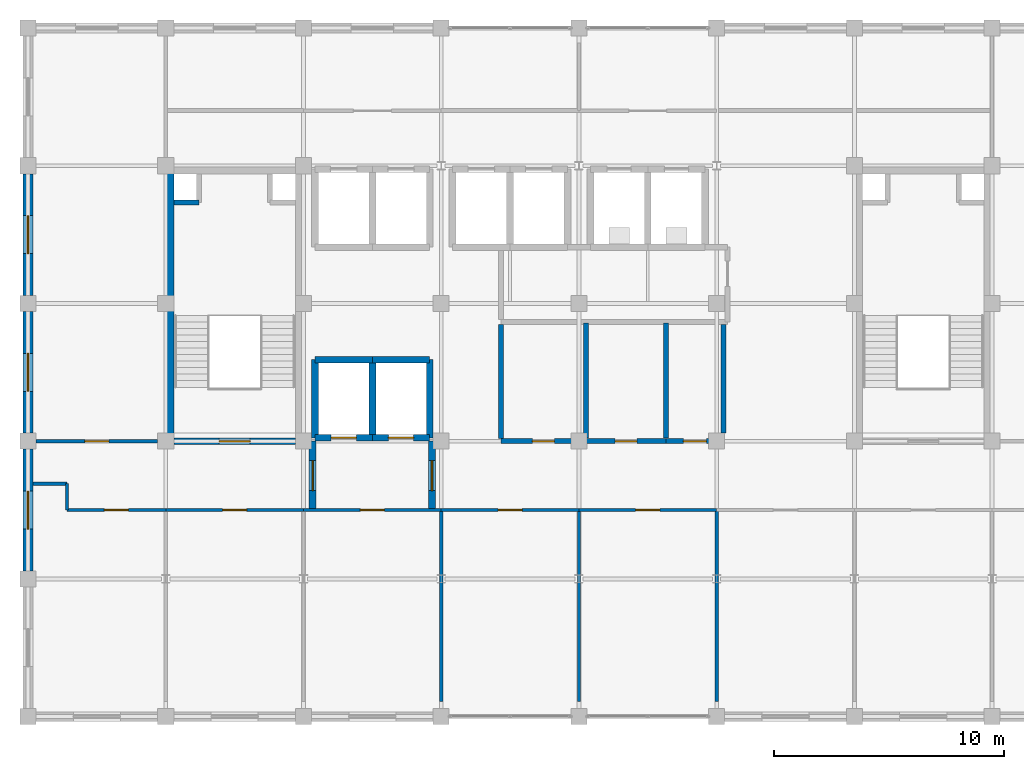
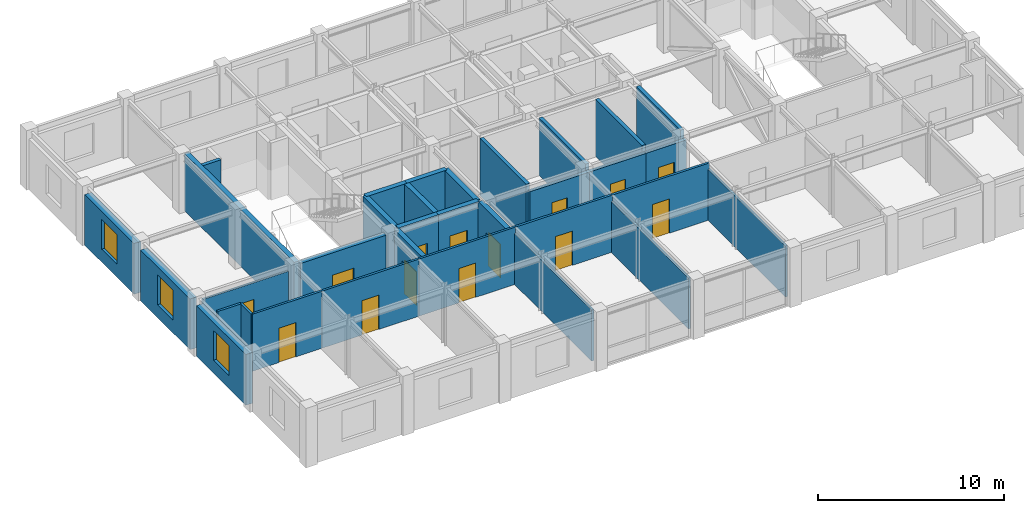
# One storey, part 8 of 12: 33 walls, 14 doors, 3 windows, 17 openings.
"""IFC4 building model written with IfcOpenShell, lengths in metres."""

from ifc_helpers import new_model, si_unit, direction, frame, frame_2d, origin, place, context, subcontext, project, spatial, rectangle, extrude, material, layer, layer_set, type_object, element, fill, save


model = new_model("IFC4")

# Units and contexts
model_context = context("Model", 3, precision=1e-05, world=origin(), true_north=direction((0.0, 1.0)))
body_context = subcontext(model_context, "Body", "Model", "MODEL_VIEW")
ifc_project = project(units=[si_unit("LENGTHUNIT", "METRE"), si_unit("AREAUNIT", "SQUARE_METRE"), si_unit("VOLUMEUNIT", "CUBIC_METRE"), si_unit("PLANEANGLEUNIT", "RADIAN"), si_unit("MASSUNIT", "GRAM", prefix="KILO")], contexts=[model_context])

# Site, building, storey
site_placement = place(None, origin())
site = spatial("IfcSite", under=ifc_project, at=site_placement, CompositionType="ELEMENT")
building_placement = place(site_placement, origin())
building = spatial("IfcBuilding", under=site, at=building_placement, Name="Zlatovratsky Civic Hall", CompositionType="ELEMENT")
storey_placement = place(building_placement, frame((0.0, 0.0, 40.5)))
storey = spatial("IfcBuildingStorey", under=building, at=storey_placement, Name="L10", CompositionType="ELEMENT", Elevation=40.5)

# Wall, opening, door
ifc_material_1 = material(Name="Fire-rated gypsum board framing", Category="gypsum")
ifc_layer_1 = layer(ifc_material_1, 0.139892578125)
ifc_layer_set_1 = layer_set([ifc_layer_1], Name="Fire-rated gypsum board framing")
wall_type_1 = type_object("IfcWallType", Name="Wall_OfficePartition_140", PredefinedType="PARTITIONING", material=ifc_layer_set_1)
wall_1_placement = place(storey_placement, frame((61.699951171875, 81.0, 0.0), z_axis=(0.0, 0.0, 1.0), x_axis=(1.0, 0.0, 0.0)))
wall_1 = element("IfcWall", 1, at=wall_1_placement, inside=storey, type_object=wall_type_1, Name="WL-6489", PredefinedType="PARTITIONING", context=body_context, shape_type="SweptSolid", body=[
    extrude(rectangle(XDim=4.300048828125, YDim=0.139892578125, at=frame_2d((2.14990234375, 0.0))), origin(), (0.0, 0.0, 1.0), 3.739990234375),
])
opening_1_placement = place(wall_1_placement, frame((1.625, 0.0, 0.0)))
opening_1 = element("IfcOpeningElement", 2, at=opening_1_placement, cuts=wall_1, Name="Opening D-24", PredefinedType="OPENING", context=body_context, shape_type="SweptSolid", body=[
    extrude(rectangle(XDim=1.050048828125, YDim=2.25, at=frame_2d((0.52490234375, 1.125))), frame((0.0, 0.0849609375, 0.0), z_axis=(0.0, -1.0, 0.0), x_axis=(1.0, 0.0, 0.0)), (0.0, 0.0, 1.0), 0.169677734375),
])
ifc_material_2 = material(Name="Solid oak joinery in steel frame", Category="steel")
door_type_1 = type_object("IfcDoorType", Name="Door_DirectorateOffice_1050x2250", OperationType="NOTDEFINED", PredefinedType="DOOR", material=ifc_material_2)
door_1_placement = place(opening_1_placement, origin())
door_1 = element("IfcDoor", 3, at=door_1_placement, inside=storey, type_object=door_type_1, Name="DR-5438", OperationType="SINGLE_SWING_LEFT", OverallHeight=2.25, OverallWidth=1.050048828125, PredefinedType="DOOR", context=body_context, shape_type="SweptSolid", body=[
    extrude(rectangle(XDim=1.050048828125, YDim=2.25, at=frame_2d((0.52490234375, 1.125))), frame((0.0, 0.02490234375, 0.0), z_axis=(0.0, -1.0, 0.0), x_axis=(1.0, 0.0, 0.0)), (0.0, 0.0, 1.0), 0.050048828125),
])
fill(opening_1, door_1)

wall_2_placement = place(storey_placement, frame((66.0, 81.0, 0.0), z_axis=(0.0, 0.0, 1.0), x_axis=(1.0, 0.0, 0.0)))
wall_2 = element("IfcWall", 4, at=wall_2_placement, inside=storey, type_object=wall_type_1, Name="WL-6490", PredefinedType="PARTITIONING", context=body_context, shape_type="SweptSolid", body=[
    extrude(rectangle(XDim=6.0, YDim=0.139892578125, at=frame_2d((3.0, 0.0))), origin(), (0.0, 0.0, 1.0), 3.739990234375),
])
opening_2_placement = place(wall_2_placement, frame((2.47509765625, 0.0, 0.0)))
opening_2 = element("IfcOpeningElement", 5, at=opening_2_placement, cuts=wall_2, Name="Opening D-24", PredefinedType="OPENING", context=body_context, shape_type="SweptSolid", body=[
    extrude(rectangle(XDim=1.050048828125, YDim=2.25, at=frame_2d((0.52490234375, 1.125))), frame((0.0, 0.0849609375, 0.0), z_axis=(0.0, -1.0, 0.0), x_axis=(1.0, 0.0, 0.0)), (0.0, 0.0, 1.0), 0.169677734375),
])
door_2_placement = place(opening_2_placement, origin())
door_2 = element("IfcDoor", 6, at=door_2_placement, inside=storey, type_object=door_type_1, Name="DR-5439", OperationType="SINGLE_SWING_RIGHT", OverallHeight=2.25, OverallWidth=1.050048828125, PredefinedType="DOOR", context=body_context, shape_type="SweptSolid", body=[
    extrude(rectangle(XDim=1.050048828125, YDim=2.25, at=frame_2d((0.52490234375, 1.125))), frame((0.0, 0.02490234375, 0.0), z_axis=(0.0, -1.0, 0.0), x_axis=(1.0, 0.0, 0.0)), (0.0, 0.0, 1.0), 0.050048828125),
])
fill(opening_2, door_2)

wall_3_placement = place(storey_placement, frame((72.0, 81.0, 0.0), z_axis=(0.0, 0.0, 1.0), x_axis=(1.0, 0.0, 0.0)))
wall_3 = element("IfcWall", 7, at=wall_3_placement, inside=storey, type_object=wall_type_1, Name="WL-6491", PredefinedType="PARTITIONING", context=body_context, shape_type="SweptSolid", body=[
    extrude(rectangle(XDim=6.0, YDim=0.139892578125, at=frame_2d((3.0, 0.0))), origin(), (0.0, 0.0, 1.0), 3.739990234375),
])
opening_3_placement = place(wall_3_placement, frame((2.47509765625, 0.0, 0.0)))
opening_3 = element("IfcOpeningElement", 8, at=opening_3_placement, cuts=wall_3, Name="Opening D-24", PredefinedType="OPENING", context=body_context, shape_type="SweptSolid", body=[
    extrude(rectangle(XDim=1.050048828125, YDim=2.25, at=frame_2d((0.52490234375, 1.125))), frame((0.0, 0.0849609375, 0.0), z_axis=(0.0, -1.0, 0.0), x_axis=(1.0, 0.0, 0.0)), (0.0, 0.0, 1.0), 0.169677734375),
])
door_3_placement = place(opening_3_placement, origin())
door_3 = element("IfcDoor", 9, at=door_3_placement, inside=storey, type_object=door_type_1, Name="DR-5440", OperationType="SINGLE_SWING_RIGHT", OverallHeight=2.25, OverallWidth=1.050048828125, PredefinedType="DOOR", context=body_context, shape_type="SweptSolid", body=[
    extrude(rectangle(XDim=1.050048828125, YDim=2.25, at=frame_2d((0.52490234375, 1.125))), frame((0.0, 0.02490234375, 0.0), z_axis=(0.0, -1.0, 0.0), x_axis=(1.0, 0.0, 0.0)), (0.0, 0.0, 1.0), 0.050048828125),
])
fill(opening_3, door_3)

wall_4_placement = place(storey_placement, frame((78.0, 81.0, 0.0), z_axis=(0.0, 0.0, 1.0), x_axis=(1.0, 0.0, 0.0)))
wall_4 = element("IfcWall", 10, at=wall_4_placement, inside=storey, type_object=wall_type_1, Name="WL-6492", PredefinedType="PARTITIONING", context=body_context, shape_type="SweptSolid", body=[
    extrude(rectangle(XDim=6.0, YDim=0.139892578125, at=frame_2d((3.0, 0.0))), origin(), (0.0, 0.0, 1.0), 3.739990234375),
])
opening_4_placement = place(wall_4_placement, frame((2.47509765625, 0.0, 0.0)))
opening_4 = element("IfcOpeningElement", 11, at=opening_4_placement, cuts=wall_4, Name="Opening D-24", PredefinedType="OPENING", context=body_context, shape_type="SweptSolid", body=[
    extrude(rectangle(XDim=1.050048828125, YDim=2.25, at=frame_2d((0.52490234375, 1.125))), frame((0.0, 0.0849609375, 0.0), z_axis=(0.0, -1.0, 0.0), x_axis=(1.0, 0.0, 0.0)), (0.0, 0.0, 1.0), 0.169677734375),
])
door_4_placement = place(opening_4_placement, origin())
door_4 = element("IfcDoor", 12, at=door_4_placement, inside=storey, type_object=door_type_1, Name="DR-5441", OperationType="SINGLE_SWING_RIGHT", OverallHeight=2.25, OverallWidth=1.050048828125, PredefinedType="DOOR", context=body_context, shape_type="SweptSolid", body=[
    extrude(rectangle(XDim=1.050048828125, YDim=2.25, at=frame_2d((0.52490234375, 1.125))), frame((0.0, 0.02490234375, 0.0), z_axis=(0.0, -1.0, 0.0), x_axis=(1.0, 0.0, 0.0)), (0.0, 0.0, 1.0), 0.050048828125),
])
fill(opening_4, door_4)

wall_5_placement = place(storey_placement, frame((84.0, 81.0, 0.0), z_axis=(0.0, 0.0, 1.0), x_axis=(1.0, 0.0, 0.0)))
wall_5 = element("IfcWall", 13, at=wall_5_placement, inside=storey, type_object=wall_type_1, Name="WL-6493", PredefinedType="PARTITIONING", context=body_context, shape_type="SweptSolid", body=[
    extrude(rectangle(XDim=6.0, YDim=0.139892578125, at=frame_2d((3.0, 0.0))), origin(), (0.0, 0.0, 1.0), 3.739990234375),
])
opening_5_placement = place(wall_5_placement, frame((2.47509765625, 0.0, 0.0)))
opening_5 = element("IfcOpeningElement", 14, at=opening_5_placement, cuts=wall_5, Name="Opening D-24", PredefinedType="OPENING", context=body_context, shape_type="SweptSolid", body=[
    extrude(rectangle(XDim=1.050048828125, YDim=2.25, at=frame_2d((0.52490234375, 1.125))), frame((0.0, 0.0849609375, 0.0), z_axis=(0.0, -1.0, 0.0), x_axis=(1.0, 0.0, 0.0)), (0.0, 0.0, 1.0), 0.169677734375),
])
door_5_placement = place(opening_5_placement, origin())
door_5 = element("IfcDoor", 15, at=door_5_placement, inside=storey, type_object=door_type_1, Name="DR-5442", OperationType="SINGLE_SWING_RIGHT", OverallHeight=2.25, OverallWidth=1.050048828125, PredefinedType="DOOR", context=body_context, shape_type="SweptSolid", body=[
    extrude(rectangle(XDim=1.050048828125, YDim=2.25, at=frame_2d((0.52490234375, 1.125))), frame((0.0, 0.02490234375, 0.0), z_axis=(0.0, -1.0, 0.0), x_axis=(1.0, 0.0, 0.0)), (0.0, 0.0, 1.0), 0.050048828125),
])
fill(opening_5, door_5)

wall_6_placement = place(storey_placement, frame((60.35009765625, 84.0, 0.0), z_axis=(0.0, 0.0, 1.0), x_axis=(1.0, 0.0, 0.0)))
wall_6 = element("IfcWall", 16, at=wall_6_placement, inside=storey, type_object=wall_type_1, Name="WL-6497", PredefinedType="PARTITIONING", context=body_context, shape_type="SweptSolid", body=[
    extrude(rectangle(XDim=5.2998046875, YDim=0.139892578125, at=frame_2d((2.64990234375, 0.0))), origin(), (0.0, 0.0, 1.0), 3.347900390625),
])
opening_6_placement = place(wall_6_placement, frame((2.125, 0.0, 0.0)))
opening_6 = element("IfcOpeningElement", 17, at=opening_6_placement, cuts=wall_6, Name="Opening D-24", PredefinedType="OPENING", context=body_context, shape_type="SweptSolid", body=[
    extrude(rectangle(XDim=1.050048828125, YDim=2.25, at=frame_2d((0.52490234375, 1.125))), frame((0.0, 0.0849609375, 0.0), z_axis=(0.0, -1.0, 0.0), x_axis=(1.0, 0.0, 0.0)), (0.0, 0.0, 1.0), 0.169677734375),
])
door_6_placement = place(opening_6_placement, origin())
door_6 = element("IfcDoor", 18, at=door_6_placement, inside=storey, type_object=door_type_1, Name="DR-5446", OperationType="SINGLE_SWING_LEFT", OverallHeight=2.25, OverallWidth=1.050048828125, PredefinedType="DOOR", context=body_context, shape_type="SweptSolid", body=[
    extrude(rectangle(XDim=1.050048828125, YDim=2.25, at=frame_2d((0.52490234375, 1.125))), frame((0.0, 0.02490234375, 0.0), z_axis=(0.0, -1.0, 0.0), x_axis=(1.0, 0.0, 0.0)), (0.0, 0.0, 1.0), 0.050048828125),
])
fill(opening_6, door_6)

# Walls
for number, where, z_axis, x_axis, name in (
    (19, (78.0, 72.64990234375, 0.0), (0.0, 0.0, 1.0), (0.0, 1.0, 0.0), "WL-6503"),
    (20, (84.0, 72.64990234375, 0.0), (0.0, 0.0, 1.0), (0.0, 1.0, 0.0), "WL-6504"),
    (21, (90.0, 72.64990234375, 0.0), (0.0, 0.0, 1.0), (0.0, 1.0, 0.0), "WL-6505"),
):
    element("IfcWall", number, at=place(storey_placement, frame(where, z_axis=z_axis, x_axis=x_axis)), inside=storey, type_object=wall_type_1, Name=name, PredefinedType="PARTITIONING", context=body_context, shape_type="SweptSolid", body=[
        extrude(rectangle(XDim=8.35009765625, YDim=0.139892578125, at=frame_2d((4.175048828125, 0.0))), origin(), (0.0, 0.0, 1.0), 3.347900390625),
    ])
wall_7_placement = place(storey_placement, frame((61.699951171875, 81.0, 0.0), z_axis=(0.0, 0.0, 1.0), x_axis=(0.0, 1.0, 0.0)))
element("IfcWall", 22, at=wall_7_placement, inside=storey, type_object=wall_type_1, Name="WL-6514", PredefinedType="PARTITIONING", context=body_context, shape_type="SweptSolid", body=[
    extrude(rectangle(XDim=1.14990234375, YDim=0.139892578125, at=frame_2d((0.574951171875, 0.0))), origin(), (0.0, 0.0, 1.0), 3.739990234375),
])
wall_8_placement = place(storey_placement, frame((61.699951171875, 82.14990234375, 0.0), z_axis=(0.0, 0.0, 1.0), x_axis=(-1.0, 0.0, 0.0)))
element("IfcWall", 23, at=wall_8_placement, inside=storey, type_object=wall_type_1, Name="WL-6515", PredefinedType="PARTITIONING", context=body_context, shape_type="SweptSolid", body=[
    extrude(rectangle(XDim=1.489990234375, YDim=0.139892578125, at=frame_2d((0.7451171875, 0.0))), origin(), (0.0, 0.0, 1.0), 3.739990234375),
])
ifc_material_3 = material(Name="Acoustic ceramic blockwork", Category="masonry")
ifc_layer_2 = layer(ifc_material_3, 0.219970703125)
ifc_layer_set_2 = layer_set([ifc_layer_2], Name="Acoustic ceramic blockwork")
wall_type_2 = type_object("IfcWallType", Name="Wall_SanitaryWetCore_220", PredefinedType="PARTITIONING", material=ifc_layer_set_2)
wall_9_placement = place(storey_placement, frame((66.35009765625, 94.39990234375, 0.0), z_axis=(0.0, 0.0, 1.0), x_axis=(1.0, 0.0, 0.0)))
element("IfcWall", 24, at=wall_9_placement, inside=storey, type_object=wall_type_2, Name="WL-5086", PredefinedType="PARTITIONING", context=body_context, shape_type="SweptSolid", body=[
    extrude(rectangle(XDim=1.099853515625, YDim=0.219970703125, at=frame_2d((0.5498046875, 0.0))), origin(), (0.0, 0.0, 1.0), 3.739990234375),
])

# Wall, opening, door
wall_10_placement = place(storey_placement, frame((80.60009765625, 84.0, 0.0), z_axis=(0.0, 0.0, 1.0), x_axis=(1.0, 0.0, 0.0)))
wall_10 = element("IfcWall", 25, at=wall_10_placement, inside=storey, type_object=wall_type_2, Name="WL-6482", PredefinedType="PARTITIONING", context=body_context, shape_type="SweptSolid", body=[
    extrude(rectangle(XDim=3.699951171875, YDim=0.219970703125, at=frame_2d((1.85009765625, 0.0))), origin(), (0.0, 0.0, 1.0), 3.347900390625),
])
opening_7_placement = place(wall_10_placement, frame((1.375, 0.0, 0.0)))
opening_7 = element("IfcOpeningElement", 26, at=opening_7_placement, cuts=wall_10, Name="Opening D-21", PredefinedType="OPENING", context=body_context, shape_type="SweptSolid", body=[
    extrude(rectangle(XDim=0.949951171875, YDim=2.14990234375, at=frame_2d((0.47509765625, 1.074951171875))), frame((0.0, 0.125, 0.0), z_axis=(0.0, -1.0, 0.0), x_axis=(1.0, 0.0, 0.0)), (0.0, 0.0, 1.0), 0.249755859375),
])
door_type_2 = type_object("IfcDoorType", Name="Door_MensWC_950x2150", OperationType="NOTDEFINED", PredefinedType="DOOR", material=ifc_material_2)
door_7_placement = place(opening_7_placement, origin())
door_7 = element("IfcDoor", 27, at=door_7_placement, inside=storey, type_object=door_type_2, Name="DR-5434", OperationType="SINGLE_SWING_LEFT", OverallHeight=2.14990234375, OverallWidth=0.949951171875, PredefinedType="DOOR", context=body_context, shape_type="SweptSolid", body=[
    extrude(rectangle(XDim=0.949951171875, YDim=2.14990234375, at=frame_2d((0.47509765625, 1.074951171875))), frame((0.0, 0.02490234375, 0.0), z_axis=(0.0, -1.0, 0.0), x_axis=(1.0, 0.0, 0.0)), (0.0, 0.0, 1.0), 0.050048828125),
])
fill(opening_7, door_7)

wall_11_placement = place(storey_placement, frame((84.300048828125, 84.0, 0.0), z_axis=(0.0, 0.0, 1.0), x_axis=(1.0, 0.0, 0.0)))
wall_11 = element("IfcWall", 28, at=wall_11_placement, inside=storey, type_object=wall_type_2, Name="WL-6483", PredefinedType="PARTITIONING", context=body_context, shape_type="SweptSolid", body=[
    extrude(rectangle(XDim=3.5, YDim=0.219970703125, at=frame_2d((1.75, 0.0))), origin(), (0.0, 0.0, 1.0), 3.347900390625),
])
opening_8_placement = place(wall_11_placement, frame((1.27490234375, 0.0, 0.0)))
opening_8 = element("IfcOpeningElement", 29, at=opening_8_placement, cuts=wall_11, Name="Opening D-22", PredefinedType="OPENING", context=body_context, shape_type="SweptSolid", body=[
    extrude(rectangle(XDim=0.949951171875, YDim=2.10009765625, at=frame_2d((0.47509765625, 1.050048828125))), frame((0.0, 0.125, 0.0), z_axis=(0.0, -1.0, 0.0), x_axis=(1.0, 0.0, 0.0)), (0.0, 0.0, 1.0), 0.249755859375),
])
door_type_3 = type_object("IfcDoorType", Name="Door_WomensWC_950x2100", OperationType="NOTDEFINED", PredefinedType="DOOR", material=ifc_material_2)
door_8_placement = place(opening_8_placement, origin())
door_8 = element("IfcDoor", 30, at=door_8_placement, inside=storey, type_object=door_type_3, Name="DR-5435", OperationType="SINGLE_SWING_RIGHT", OverallHeight=2.10009765625, OverallWidth=0.949951171875, PredefinedType="DOOR", context=body_context, shape_type="SweptSolid", body=[
    extrude(rectangle(XDim=0.949951171875, YDim=2.10009765625, at=frame_2d((0.47509765625, 1.050048828125))), frame((0.0, 0.02490234375, 0.0), z_axis=(0.0, -1.0, 0.0), x_axis=(1.0, 0.0, 0.0)), (0.0, 0.0, 1.0), 0.050048828125),
])
fill(opening_8, door_8)

wall_12_placement = place(storey_placement, frame((87.800048828125, 84.0, 0.0), z_axis=(0.0, 0.0, 1.0), x_axis=(1.0, 0.0, 0.0)))
wall_12 = element("IfcWall", 31, at=wall_12_placement, inside=storey, type_object=wall_type_2, Name="WL-6484", PredefinedType="PARTITIONING", context=body_context, shape_type="SweptSolid", body=[
    extrude(rectangle(XDim=2.5, YDim=0.219970703125, at=frame_2d((1.25, 0.0))), origin(), (0.0, 0.0, 1.0), 3.347900390625),
])
opening_9_placement = place(wall_12_placement, frame((0.75, 0.0, 0.0)))
opening_9 = element("IfcOpeningElement", 32, at=opening_9_placement, cuts=wall_12, Name="Opening D-20", PredefinedType="OPENING", context=body_context, shape_type="SweptSolid", body=[
    extrude(rectangle(XDim=1.0, YDim=2.14990234375, at=frame_2d((0.5, 1.074951171875))), frame((0.0, 0.125, 0.0), z_axis=(0.0, -1.0, 0.0), x_axis=(1.0, 0.0, 0.0)), (0.0, 0.0, 1.0), 0.249755859375),
])
door_type_4 = type_object("IfcDoorType", Name="Door_AccessibleWC_1000x2150", OperationType="NOTDEFINED", PredefinedType="DOOR", material=ifc_material_2)
door_9_placement = place(opening_9_placement, origin())
door_9 = element("IfcDoor", 33, at=door_9_placement, inside=storey, type_object=door_type_4, Name="DR-5436", OperationType="SINGLE_SWING_LEFT", OverallHeight=2.14990234375, OverallWidth=1.0, PredefinedType="DOOR", context=body_context, shape_type="SweptSolid", body=[
    extrude(rectangle(XDim=1.0, YDim=2.14990234375, at=frame_2d((0.5, 1.074951171875))), frame((0.0, 0.02490234375, 0.0), z_axis=(0.0, -1.0, 0.0), x_axis=(1.0, 0.0, 0.0)), (0.0, 0.0, 1.0), 0.050048828125),
])
fill(opening_9, door_9)

# Walls
for number, where, z_axis, x_axis, name in (
    (34, (84.300048828125, 84.14990234375, 0.0), (0.0, 0.0, 1.0), (0.0, 1.0, 0.0), "WL-6485"),
    (35, (87.800048828125, 84.14990234375, 0.0), (0.0, 0.0, 1.0), (0.0, 1.0, 0.0), "WL-6486"),
):
    element("IfcWall", number, at=place(storey_placement, frame(where, z_axis=z_axis, x_axis=x_axis)), inside=storey, type_object=wall_type_2, Name=name, PredefinedType="PARTITIONING", context=body_context, shape_type="SweptSolid", body=[
        extrude(rectangle(XDim=5.0, YDim=0.219970703125, at=frame_2d((2.5, 0.0))), origin(), (0.0, 0.0, 1.0), 3.739990234375),
    ])
wall_13_placement = place(storey_placement, frame((80.60009765625, 84.110107421875, 0.0), z_axis=(0.0, 0.0, 1.0), x_axis=(0.0, 1.0, 0.0)))
element("IfcWall", 36, at=wall_13_placement, inside=storey, type_object=wall_type_2, Name="WL-6509", PredefinedType="PARTITIONING", context=body_context, shape_type="SweptSolid", body=[
    extrude(rectangle(XDim=4.97998046875, YDim=0.219970703125, at=frame_2d((2.489990234375, 0.0))), origin(), (0.0, 0.0, 1.0), 3.739990234375),
])
wall_14_placement = place(storey_placement, frame((90.300048828125, 84.360107421875, 0.0), z_axis=(0.0, 0.0, 1.0), x_axis=(0.0, 1.0, 0.0)))
element("IfcWall", 37, at=wall_14_placement, inside=storey, type_object=wall_type_2, Name="WL-6510", PredefinedType="PARTITIONING", context=body_context, shape_type="SweptSolid", body=[
    extrude(rectangle(XDim=4.72998046875, YDim=0.219970703125, at=frame_2d((2.364990234375, 0.0))), origin(), (0.0, 0.0, 1.0), 3.739990234375),
])

# Wall, opening, door
ifc_material_4 = material(Name="Concrete C35/45 (B40)", Category="concrete")
ifc_layer_3 = layer(ifc_material_4, 0.300048828125)
ifc_layer_set_3 = layer_set([ifc_layer_3], Name="Concrete C35/45 (B40)")
wall_type_3 = type_object("IfcWallType", Name="Wall_StairAndLiftShaft_300", PredefinedType="SHEAR", material=ifc_layer_set_3)
wall_15_placement = place(storey_placement, frame((66.35009765625, 84.0, 0.0), z_axis=(0.0, 0.0, 1.0), x_axis=(1.0, 0.0, 0.0)))
wall_15 = element("IfcWall", 38, at=wall_15_placement, inside=storey, type_object=wall_type_3, Name="WL-5081", PredefinedType="SHEAR", context=body_context, shape_type="SweptSolid", body=[
    extrude(rectangle(XDim=5.2998046875, YDim=0.300048828125, at=frame_2d((2.64990234375, 0.0))), origin(), (0.0, 0.0, 1.0), 3.659912109375),
])
opening_10_placement = place(wall_15_placement, frame((1.97509765625, 0.0, 0.0)))
opening_10 = element("IfcOpeningElement", 39, at=opening_10_placement, cuts=wall_15, Name="Opening D-17", PredefinedType="OPENING", context=body_context, shape_type="SweptSolid", body=[
    extrude(rectangle(XDim=1.35009765625, YDim=2.199951171875, at=frame_2d((0.675048828125, 1.10009765625))), frame((0.0, 0.1650390625, 0.0), z_axis=(0.0, -1.0, 0.0), x_axis=(1.0, 0.0, 0.0)), (0.0, 0.0, 1.0), 0.329833984375),
])
ifc_material_5 = material(Name="Insulated painted fire-rated steel leaf", Category="steel")
door_type_5 = type_object("IfcDoorType", Name="Door_StairwellFireTower_1350x2200", OperationType="NOTDEFINED", PredefinedType="DOOR", material=ifc_material_5)
door_10_placement = place(opening_10_placement, origin())
door_10 = element("IfcDoor", 40, at=door_10_placement, inside=storey, type_object=door_type_5, Name="DR-5011", OperationType="SINGLE_SWING_LEFT", OverallHeight=2.199951171875, OverallWidth=1.35009765625, PredefinedType="DOOR", context=body_context, shape_type="SweptSolid", body=[
    extrude(rectangle(XDim=1.35009765625, YDim=2.199951171875, at=frame_2d((0.675048828125, 1.10009765625))), frame((0.0, 0.02490234375, 0.0), z_axis=(0.0, -1.0, 0.0), x_axis=(1.0, 0.0, 0.0)), (0.0, 0.0, 1.0), 0.050048828125),
])
fill(opening_10, door_10)

# Wall
wall_16_placement = place(storey_placement, frame((66.199951171875, 84.0, 0.0), z_axis=(0.0, 0.0, 1.0), x_axis=(0.0, 1.0, 0.0)))
element("IfcWall", 41, at=wall_16_placement, inside=storey, type_object=wall_type_3, Name="WL-5083", PredefinedType="SHEAR", context=body_context, shape_type="SweptSolid", body=[
    extrude(rectangle(XDim=11.800048828125, YDim=0.300048828125, at=frame_2d((5.89990234375, 0.0))), origin(), (0.0, 0.0, 1.0), 3.739990234375),
])

# Wall, opening, door
wall_17_placement = place(storey_placement, frame((72.5, 84.14990234375, 0.0), z_axis=(0.0, 0.0, 1.0), x_axis=(1.0, 0.0, 0.0)))
wall_17 = element("IfcWall", 42, at=wall_17_placement, inside=storey, type_object=wall_type_3, Name="WL-5523", PredefinedType="SHEAR", context=body_context, shape_type="SweptSolid", body=[
    extrude(rectangle(XDim=2.5, YDim=0.300048828125, at=frame_2d((1.25, 0.0))), origin(), (0.0, 0.0, 1.0), 3.739990234375),
])
opening_11_placement = place(wall_17_placement, frame((0.699951171875, 0.0, 0.0)))
opening_11 = element("IfcOpeningElement", 43, at=opening_11_placement, cuts=wall_17, Name="Opening LD-01", PredefinedType="OPENING", context=body_context, shape_type="SweptSolid", body=[
    extrude(rectangle(XDim=1.10009765625, YDim=2.10009765625, at=frame_2d((0.550048828125, 1.050048828125))), frame((0.0, 0.1650390625, 0.0), z_axis=(0.0, -1.0, 0.0), x_axis=(1.0, 0.0, 0.0)), (0.0, 0.0, 1.0), 0.329833984375),
])
ifc_material_6 = material(Name="Brushed stainless steel AISI 304", Category="steel")
door_type_6 = type_object("IfcDoorType", Name="Door_LiftLandingFire_1100x2100", OperationType="DOUBLE_DOOR_SLIDING", PredefinedType="DOOR", material=ifc_material_6)
door_11_placement = place(opening_11_placement, origin())
door_11 = element("IfcDoor", 44, at=door_11_placement, inside=storey, type_object=door_type_6, Name="Lift landing door LD-5069", OperationType="DOUBLE_DOOR_SLIDING", OverallHeight=2.10009765625, OverallWidth=1.10009765625, PredefinedType="DOOR", context=body_context, shape_type="SweptSolid", body=[
    extrude(rectangle(XDim=1.10009765625, YDim=2.10009765625, at=frame_2d((0.550048828125, 1.050048828125))), frame((0.0, 0.02490234375, 0.0), z_axis=(0.0, -1.0, 0.0), x_axis=(1.0, 0.0, 0.0)), (0.0, 0.0, 1.0), 0.050048828125),
])
fill(opening_11, door_11)

# Walls
wall_18_placement = place(storey_placement, frame((72.5, 87.550048828125, 0.0), z_axis=(0.0, 0.0, 1.0), x_axis=(1.0, 0.0, 0.0)))
element("IfcWall", 45, at=wall_18_placement, inside=storey, type_object=wall_type_3, Name="WL-5524", PredefinedType="SHEAR", context=body_context, shape_type="SweptSolid", body=[
    extrude(rectangle(XDim=2.5, YDim=0.300048828125, at=frame_2d((1.25, 0.0))), origin(), (0.0, 0.0, 1.0), 3.739990234375),
])
wall_19_placement = place(storey_placement, frame((72.5, 84.14990234375, 0.0), z_axis=(0.0, 0.0, 1.0), x_axis=(0.0, 1.0, 0.0)))
element("IfcWall", 46, at=wall_19_placement, inside=storey, type_object=wall_type_3, Name="WL-5525", PredefinedType="SHEAR", context=body_context, shape_type="SweptSolid", body=[
    extrude(rectangle(XDim=3.400146484375, YDim=0.300048828125, at=frame_2d((1.7001953125, 0.0))), origin(), (0.0, 0.0, 1.0), 3.739990234375),
])

# Wall, opening, door
wall_20_placement = place(storey_placement, frame((75.0, 84.14990234375, 0.0), z_axis=(0.0, 0.0, 1.0), x_axis=(1.0, 0.0, 0.0)))
wall_20 = element("IfcWall", 47, at=wall_20_placement, inside=storey, type_object=wall_type_3, Name="WL-5590", PredefinedType="SHEAR", context=body_context, shape_type="SweptSolid", body=[
    extrude(rectangle(XDim=2.5, YDim=0.300048828125, at=frame_2d((1.25, 0.0))), origin(), (0.0, 0.0, 1.0), 3.739990234375),
])
opening_12_placement = place(wall_20_placement, frame((0.699951171875, 0.0, 0.0)))
opening_12 = element("IfcOpeningElement", 48, at=opening_12_placement, cuts=wall_20, Name="Opening LD-01", PredefinedType="OPENING", context=body_context, shape_type="SweptSolid", body=[
    extrude(rectangle(XDim=1.10009765625, YDim=2.10009765625, at=frame_2d((0.550048828125, 1.050048828125))), frame((0.0, 0.1650390625, 0.0), z_axis=(0.0, -1.0, 0.0), x_axis=(1.0, 0.0, 0.0)), (0.0, 0.0, 1.0), 0.329833984375),
])
door_12_placement = place(opening_12_placement, origin())
door_12 = element("IfcDoor", 49, at=door_12_placement, inside=storey, type_object=door_type_6, Name="Lift landing door LD-5088", OperationType="DOUBLE_DOOR_SLIDING", OverallHeight=2.10009765625, OverallWidth=1.10009765625, PredefinedType="DOOR", context=body_context, shape_type="SweptSolid", body=[
    extrude(rectangle(XDim=1.10009765625, YDim=2.10009765625, at=frame_2d((0.550048828125, 1.050048828125))), frame((0.0, 0.02490234375, 0.0), z_axis=(0.0, -1.0, 0.0), x_axis=(1.0, 0.0, 0.0)), (0.0, 0.0, 1.0), 0.050048828125),
])
fill(opening_12, door_12)

# Walls
wall_21_placement = place(storey_placement, frame((75.0, 87.550048828125, 0.0), z_axis=(0.0, 0.0, 1.0), x_axis=(1.0, 0.0, 0.0)))
element("IfcWall", 50, at=wall_21_placement, inside=storey, type_object=wall_type_3, Name="WL-5591", PredefinedType="SHEAR", context=body_context, shape_type="SweptSolid", body=[
    extrude(rectangle(XDim=2.5, YDim=0.300048828125, at=frame_2d((1.25, 0.0))), origin(), (0.0, 0.0, 1.0), 3.739990234375),
])
for number, where, z_axis, x_axis, name in (
    (51, (75.0, 84.14990234375, 0.0), (0.0, 0.0, 1.0), (0.0, 1.0, 0.0), "WL-5592"),
    (52, (77.5, 84.14990234375, 0.0), (0.0, 0.0, 1.0), (0.0, 1.0, 0.0), "WL-5593"),
):
    element("IfcWall", number, at=place(storey_placement, frame(where, z_axis=z_axis, x_axis=x_axis)), inside=storey, type_object=wall_type_3, Name=name, PredefinedType="SHEAR", context=body_context, shape_type="SweptSolid", body=[
        extrude(rectangle(XDim=3.400146484375, YDim=0.300048828125, at=frame_2d((1.7001953125, 0.0))), origin(), (0.0, 0.0, 1.0), 3.739990234375),
    ])

# Wall, opening, door
wall_22_placement = place(storey_placement, frame((72.39990234375, 81.0, 0.0), z_axis=(0.0, 0.0, 1.0), x_axis=(0.0, 1.0, 0.0)))
wall_22 = element("IfcWall", 53, at=wall_22_placement, inside=storey, type_object=wall_type_3, Name="WL-6480", PredefinedType="SHEAR", context=body_context, shape_type="SweptSolid", body=[
    extrude(rectangle(XDim=3.0, YDim=0.300048828125, at=frame_2d((1.5, 0.0))), origin(), (0.0, 0.0, 1.0), 3.739990234375),
])
opening_13_placement = place(wall_22_placement, frame((0.85009765625, 0.0, 0.0)))
opening_13 = element("IfcOpeningElement", 54, at=opening_13_placement, cuts=wall_22, Name="Opening D-18", PredefinedType="OPENING", context=body_context, shape_type="SweptSolid", body=[
    extrude(rectangle(XDim=1.300048828125, YDim=2.199951171875, at=frame_2d((0.64990234375, 1.10009765625))), frame((0.0, 0.1650390625, 0.0), z_axis=(0.0, -1.0, 0.0), x_axis=(1.0, 0.0, 0.0)), (0.0, 0.0, 1.0), 0.329833984375),
])
door_type_7 = type_object("IfcDoorType", Name="Door_FireLobbyAirlock_1300x2200", OperationType="NOTDEFINED", PredefinedType="DOOR", material=ifc_material_5)
door_13_placement = place(opening_13_placement, origin())
door_13 = element("IfcDoor", 55, at=door_13_placement, inside=storey, type_object=door_type_7, Name="DR-5432", OperationType="SINGLE_SWING_RIGHT", OverallHeight=2.199951171875, OverallWidth=1.300048828125, PredefinedType="DOOR", context=body_context, shape_type="SweptSolid", body=[
    extrude(rectangle(XDim=1.300048828125, YDim=2.199951171875, at=frame_2d((0.64990234375, 1.10009765625))), frame((0.0, 0.02490234375, 0.0), z_axis=(0.0, -1.0, 0.0), x_axis=(1.0, 0.0, 0.0)), (0.0, 0.0, 1.0), 0.050048828125),
])
fill(opening_13, door_13)

wall_23_placement = place(storey_placement, frame((77.60009765625, 81.0, 0.0), z_axis=(0.0, 0.0, 1.0), x_axis=(0.0, 1.0, 0.0)))
wall_23 = element("IfcWall", 56, at=wall_23_placement, inside=storey, type_object=wall_type_3, Name="WL-6481", PredefinedType="SHEAR", context=body_context, shape_type="SweptSolid", body=[
    extrude(rectangle(XDim=3.0, YDim=0.300048828125, at=frame_2d((1.5, 0.0))), origin(), (0.0, 0.0, 1.0), 3.739990234375),
])
opening_14_placement = place(wall_23_placement, frame((0.85009765625, 0.0, 0.0)))
opening_14 = element("IfcOpeningElement", 57, at=opening_14_placement, cuts=wall_23, Name="Opening D-18", PredefinedType="OPENING", context=body_context, shape_type="SweptSolid", body=[
    extrude(rectangle(XDim=1.300048828125, YDim=2.199951171875, at=frame_2d((0.64990234375, 1.10009765625))), frame((0.0, 0.1650390625, 0.0), z_axis=(0.0, -1.0, 0.0), x_axis=(1.0, 0.0, 0.0)), (0.0, 0.0, 1.0), 0.329833984375),
])
door_14_placement = place(opening_14_placement, origin())
door_14 = element("IfcDoor", 58, at=door_14_placement, inside=storey, type_object=door_type_7, Name="DR-5433", OperationType="SINGLE_SWING_RIGHT", OverallHeight=2.199951171875, OverallWidth=1.300048828125, PredefinedType="DOOR", context=body_context, shape_type="SweptSolid", body=[
    extrude(rectangle(XDim=1.300048828125, YDim=2.199951171875, at=frame_2d((0.64990234375, 1.10009765625))), frame((0.0, 0.02490234375, 0.0), z_axis=(0.0, -1.0, 0.0), x_axis=(1.0, 0.0, 0.0)), (0.0, 0.0, 1.0), 0.050048828125),
])
fill(opening_14, door_14)

# Wall, opening, window
ifc_layer_4 = layer(ifc_material_3, 0.280029296875, Name="Backing")
ifc_material_7 = material(Name="Podolsk limestone ashlar", Category="masonry")
ifc_layer_5 = layer(ifc_material_7, 0.139892578125, Name="Finish")
ifc_layer_set_4 = layer_set([ifc_layer_4, ifc_layer_5], Name="Acoustic ceramic blockwork")
wall_type_4 = type_object("IfcWallType", Name="Wall_TowerLimestoneAshlar_420", PredefinedType="SOLIDWALL", material=ifc_layer_set_4)
wall_24_placement = place(storey_placement, frame((60.0, 78.35009765625, 0.0), z_axis=(0.0, 0.0, 1.0), x_axis=(0.0, 1.0, 0.0)))
wall_24 = element("IfcWall", 59, at=wall_24_placement, inside=storey, type_object=wall_type_4, Name="WL-0536", PredefinedType="SOLIDWALL", context=body_context, shape_type="SweptSolid", body=[
    extrude(rectangle(XDim=5.2998046875, YDim=0.419921875, at=frame_2d((2.64990234375, 0.0))), origin(), (0.0, 0.0, 1.0), 3.320068359375),
])
opening_15_placement = place(wall_24_placement, frame((1.824951171875, 0.0, 0.85009765625)))
opening_15 = element("IfcOpeningElement", 60, at=opening_15_placement, cuts=wall_24, Name="Opening WN-19", PredefinedType="OPENING", context=body_context, shape_type="SweptSolid", body=[
    extrude(rectangle(XDim=1.64990234375, YDim=1.949951171875, at=frame_2d((0.824951171875, 0.97509765625))), frame((0.0, 0.224853515625, 0.0), z_axis=(0.0, -1.0, 0.0), x_axis=(1.0, 0.0, 0.0)), (0.0, 0.0, 1.0), 0.44970703125),
])
ifc_material_8 = material(Name="Low-E laminated double glazing", Category="glass")
window_type = type_object("IfcWindowType", Name="Window_TowerTier2Flank_1650x1950", PartitioningType="SINGLE_PANEL", PredefinedType="WINDOW", material=ifc_material_8)
window_1_placement = place(opening_15_placement, origin())
window_1 = element("IfcWindow", 61, at=window_1_placement, inside=storey, type_object=window_type, Name="WN-0410", OverallHeight=1.949951171875, OverallWidth=1.64990234375, PartitioningType="SINGLE_PANEL", PredefinedType="WINDOW", context=body_context, shape_type="SweptSolid", body=[
    extrude(rectangle(XDim=1.64990234375, YDim=1.949951171875, at=frame_2d((0.824951171875, 0.97509765625))), frame((0.0, 0.030029296875, 0.0), z_axis=(0.0, -1.0, 0.0), x_axis=(1.0, 0.0, 0.0)), (0.0, 0.0, 1.0), 0.06005859375),
])
fill(opening_15, window_1)

wall_25_placement = place(storey_placement, frame((60.0, 84.35009765625, 0.0), z_axis=(0.0, 0.0, 1.0), x_axis=(0.0, 1.0, 0.0)))
wall_25 = element("IfcWall", 62, at=wall_25_placement, inside=storey, type_object=wall_type_4, Name="WL-0537", PredefinedType="SOLIDWALL", context=body_context, shape_type="SweptSolid", body=[
    extrude(rectangle(XDim=5.2998046875, YDim=0.419921875, at=frame_2d((2.64990234375, 0.0))), origin(), (0.0, 0.0, 1.0), 3.320068359375),
])
opening_16_placement = place(wall_25_placement, frame((1.824951171875, 0.0, 0.85009765625)))
opening_16 = element("IfcOpeningElement", 63, at=opening_16_placement, cuts=wall_25, Name="Opening WN-19", PredefinedType="OPENING", context=body_context, shape_type="SweptSolid", body=[
    extrude(rectangle(XDim=1.64990234375, YDim=1.949951171875, at=frame_2d((0.824951171875, 0.97509765625))), frame((0.0, 0.224853515625, 0.0), z_axis=(0.0, -1.0, 0.0), x_axis=(1.0, 0.0, 0.0)), (0.0, 0.0, 1.0), 0.44970703125),
])
window_2_placement = place(opening_16_placement, origin())
window_2 = element("IfcWindow", 64, at=window_2_placement, inside=storey, type_object=window_type, Name="WN-0411", OverallHeight=1.949951171875, OverallWidth=1.64990234375, PartitioningType="SINGLE_PANEL", PredefinedType="WINDOW", context=body_context, shape_type="SweptSolid", body=[
    extrude(rectangle(XDim=1.64990234375, YDim=1.949951171875, at=frame_2d((0.824951171875, 0.97509765625))), frame((0.0, 0.030029296875, 0.0), z_axis=(0.0, -1.0, 0.0), x_axis=(1.0, 0.0, 0.0)), (0.0, 0.0, 1.0), 0.06005859375),
])
fill(opening_16, window_2)

wall_26_placement = place(storey_placement, frame((60.0, 90.35009765625, 0.0), z_axis=(0.0, 0.0, 1.0), x_axis=(0.0, 1.0, 0.0)))
wall_26 = element("IfcWall", 65, at=wall_26_placement, inside=storey, type_object=wall_type_4, Name="WL-0538", PredefinedType="SOLIDWALL", context=body_context, shape_type="SweptSolid", body=[
    extrude(rectangle(XDim=5.2998046875, YDim=0.419921875, at=frame_2d((2.64990234375, 0.0))), origin(), (0.0, 0.0, 1.0), 3.320068359375),
])
opening_17_placement = place(wall_26_placement, frame((1.824951171875, 0.0, 0.85009765625)))
opening_17 = element("IfcOpeningElement", 66, at=opening_17_placement, cuts=wall_26, Name="Opening WN-19", PredefinedType="OPENING", context=body_context, shape_type="SweptSolid", body=[
    extrude(rectangle(XDim=1.64990234375, YDim=1.949951171875, at=frame_2d((0.824951171875, 0.97509765625))), frame((0.0, 0.224853515625, 0.0), z_axis=(0.0, -1.0, 0.0), x_axis=(1.0, 0.0, 0.0)), (0.0, 0.0, 1.0), 0.44970703125),
])
window_3_placement = place(opening_17_placement, origin())
window_3 = element("IfcWindow", 67, at=window_3_placement, inside=storey, type_object=window_type, Name="WN-0412", OverallHeight=1.949951171875, OverallWidth=1.64990234375, PartitioningType="SINGLE_PANEL", PredefinedType="WINDOW", context=body_context, shape_type="SweptSolid", body=[
    extrude(rectangle(XDim=1.64990234375, YDim=1.949951171875, at=frame_2d((0.824951171875, 0.97509765625))), frame((0.0, 0.030029296875, 0.0), z_axis=(0.0, -1.0, 0.0), x_axis=(1.0, 0.0, 0.0)), (0.0, 0.0, 1.0), 0.06005859375),
])
fill(opening_17, window_3)

save(model, "model.ifc")
